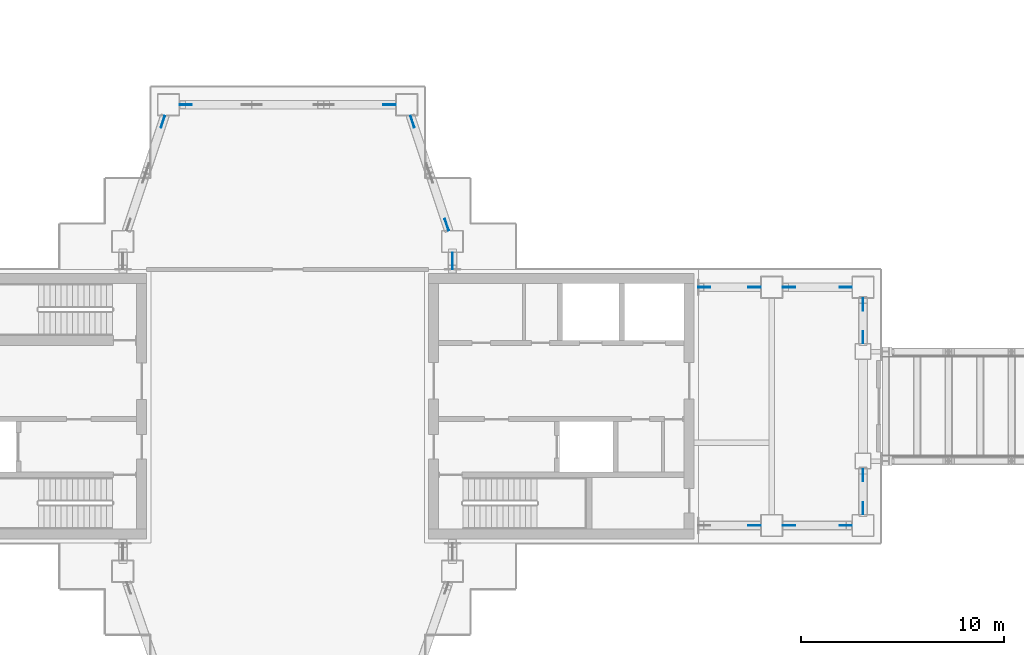
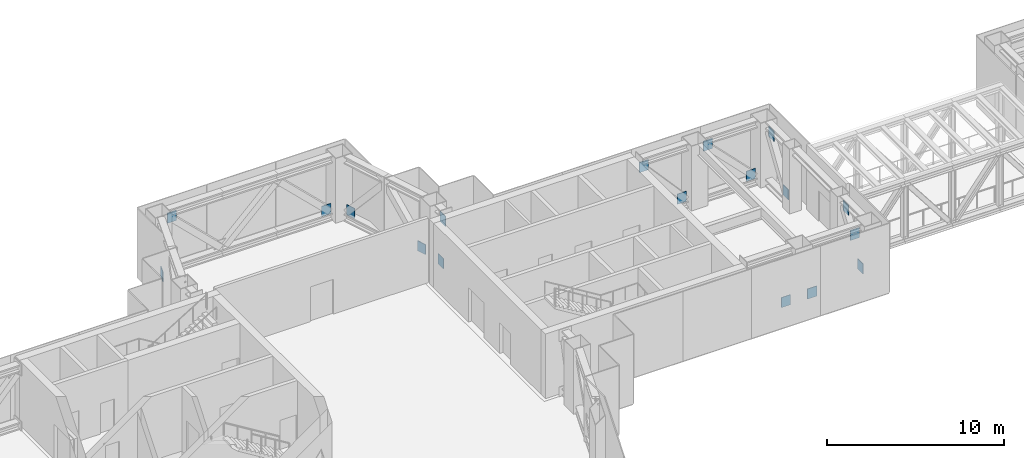
# One storey, part 17 of 21: 18 discrete accessories.
"""IFC4 building model written with IfcOpenShell, lengths in metres."""

from ifc_helpers import new_model, si_unit, direction, frame, origin, origin_2d, place, context, subcontext, project, spatial, rectangle, extrude, material, layer, layer_set, type_object, element, save


model = new_model("IFC4")

# Units and contexts
model_context = context("Model", 3, precision=1e-05, world=origin(), true_north=direction((0.0, 1.0)))
body_context = subcontext(model_context, "Body", "Model", "MODEL_VIEW")
ifc_project = project(units=[si_unit("LENGTHUNIT", "METRE"), si_unit("AREAUNIT", "SQUARE_METRE"), si_unit("VOLUMEUNIT", "CUBIC_METRE"), si_unit("PLANEANGLEUNIT", "RADIAN"), si_unit("MASSUNIT", "GRAM", prefix="KILO")], contexts=[model_context])

# Site, building, storey
site_placement = place(None, origin())
site = spatial("IfcSite", under=ifc_project, at=site_placement, CompositionType="ELEMENT")
building_placement = place(site_placement, origin())
building = spatial("IfcBuilding", under=site, at=building_placement, Name="Shamsa Quay Exchange Towers", CompositionType="ELEMENT")
storey_placement = place(building_placement, frame((0.0, 0.0, 177.89990234375)))
storey = spatial("IfcBuildingStorey", under=building, at=storey_placement, Name="L42", CompositionType="ELEMENT", Elevation=177.89990234375)

# Discrete accessories
ifc_material = material(Name="Steel S355", Category="steel")
ifc_layer = layer(ifc_material, 0.0400390625)
ifc_layer_set = layer_set([ifc_layer], Name="End plate 600x700x40")
discrete_accessory_type = type_object("IfcDiscreteAccessoryType", Name="End plate 600x700x40", PredefinedType="BRACKET", material=ifc_layer_set)
discrete_accessory_placement = place(storey_placement, frame((-10.72509765625, -5.875, 0.34814453125), z_axis=(0.0, 0.0, 1.0), x_axis=(-1.0, 0.0, 0.0)))
element("IfcDiscreteAccessory", 1, at=discrete_accessory_placement, inside=storey, type_object=discrete_accessory_type, Name="End plate T1 L42", PredefinedType="BRACKET", context=body_context, shape_type="SweptSolid", body=[
    extrude(rectangle(XDim=0.60009765625, YDim=0.0400390625, at=origin_2d()), origin(), (0.0, 0.0, 1.0), 0.699951171875),
])
for number, where, name in (
    (2, (-9.02490234375, -5.875, 0.34814453125), "End plate T1 L42"),
    (3, (-6.22509765625, -5.875, 3.40234375), "End plate T1 L42"),
):
    element("IfcDiscreteAccessory", number, at=place(storey_placement, frame(where)), inside=storey, type_object=discrete_accessory_type, Name=name, PredefinedType="BRACKET", context=body_context, shape_type="SweptSolid", body=[
        extrude(rectangle(XDim=0.60009765625, YDim=0.0400390625, at=origin_2d()), origin(), (0.0, 0.0, 1.0), 0.699951171875),
    ])
for number, where, z_axis, x_axis, name in (
    (4, (-5.375, -5.02490234375, 0.34814453125), (0.0, 0.0, 1.0), (0.0, 1.0, 0.0), "End plate T1 L42"),
    (5, (-5.375, -3.39990234375, 3.40234375), (0.0, 0.0, 1.0), (0.0, 1.0, 0.0), "End plate T1 L42"),
    (6, (-5.375, 3.39990234375, 0.34814453125), (0.0, 0.0, 1.0), (0.0, 1.0, 0.0), "End plate T1 L42"),
    (7, (-5.375, 5.02490234375, 3.40234375), (0.0, 0.0, 1.0), (0.0, 1.0, 0.0), "End plate T1 L42"),
    (8, (-6.22509765625, 5.875, 0.34814453125), (0.0, 0.0, 1.0), (-1.0, 0.0, 0.0), "End plate T1 L42"),
    (9, (-9.02490234375, 5.875, 3.40234375), (0.0, 0.0, 1.0), (-1.0, 0.0, 0.0), "End plate T1 L42"),
    (10, (-10.72509765625, 5.875, 0.34814453125), (0.0, 0.0, 1.0), (-1.0, 0.0, 0.0), "End plate T1 L42"),
    (11, (-13.199951171875, 5.875, 3.40234375), (0.0, 0.0, 1.0), (-1.0, 0.0, 0.0), "End plate T1 L42"),
    (12, (-25.625, 7.27490234375, 0.34814453125), (0.0, 0.0, 1.0), (0.0, -1.0, 0.0), "End plate T1 L42"),
    (13, (-25.625, 7.050048828125, 3.40234375), (0.0, 0.0, 1.0), (0.0, -1.0, 0.0), "End plate T1 L42"),
    (14, (-25.9033203125, 8.959716796875, 0.34814453125), (0.0, 0.0, 1.0), (-0.316227766018, 0.94868329805, 0.0), "End plate T1 L42"),
    (15, (-27.5966796875, 14.040283203125, 0.34814453125), (0.0, 0.0, 1.0), (-0.316227766018, 0.94868329805, 0.0), "End plate T1 L42"),
    (16, (-28.72509765625, 14.875, 0.34814453125), (0.0, 0.0, 1.0), (-1.0, 0.0, 0.0), "End plate T1 L42"),
    (17, (-38.77490234375, 14.875, 3.40234375), (0.0, 0.0, 1.0), (-1.0, 0.0, 0.0), "End plate T1 L42"),
    (18, (-39.9033203125, 14.040283203125, 0.34814453125), (0.0, 0.0, 1.0), (-0.316227766018, -0.94868329805, 0.0), "End plate T1 L42"),
):
    element("IfcDiscreteAccessory", number, at=place(storey_placement, frame(where, z_axis=z_axis, x_axis=x_axis)), inside=storey, type_object=discrete_accessory_type, Name=name, PredefinedType="BRACKET", context=body_context, shape_type="SweptSolid", body=[
        extrude(rectangle(XDim=0.60009765625, YDim=0.0400390625, at=origin_2d()), origin(), (0.0, 0.0, 1.0), 0.699951171875),
    ])

save(model, "model.ifc")
